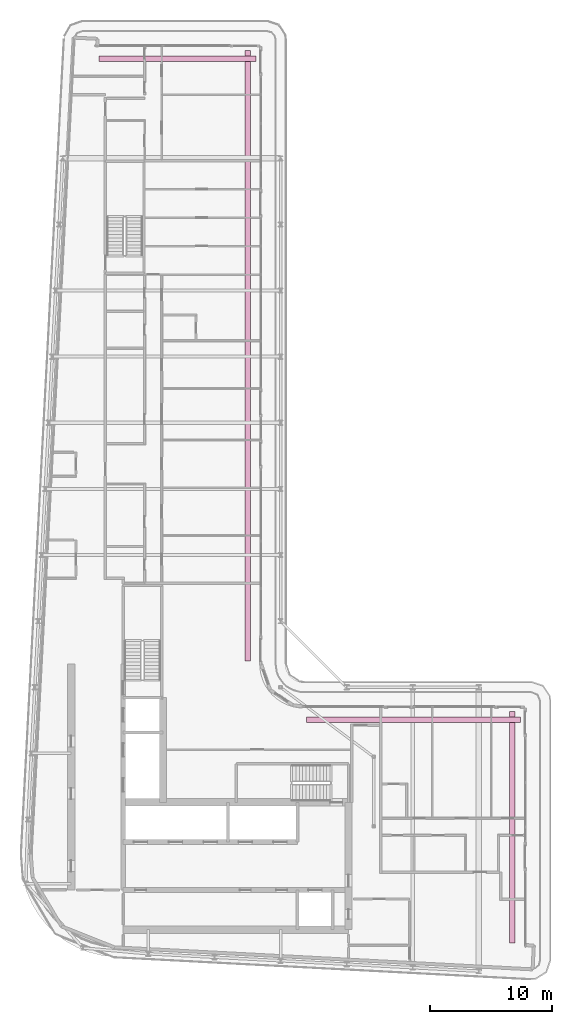
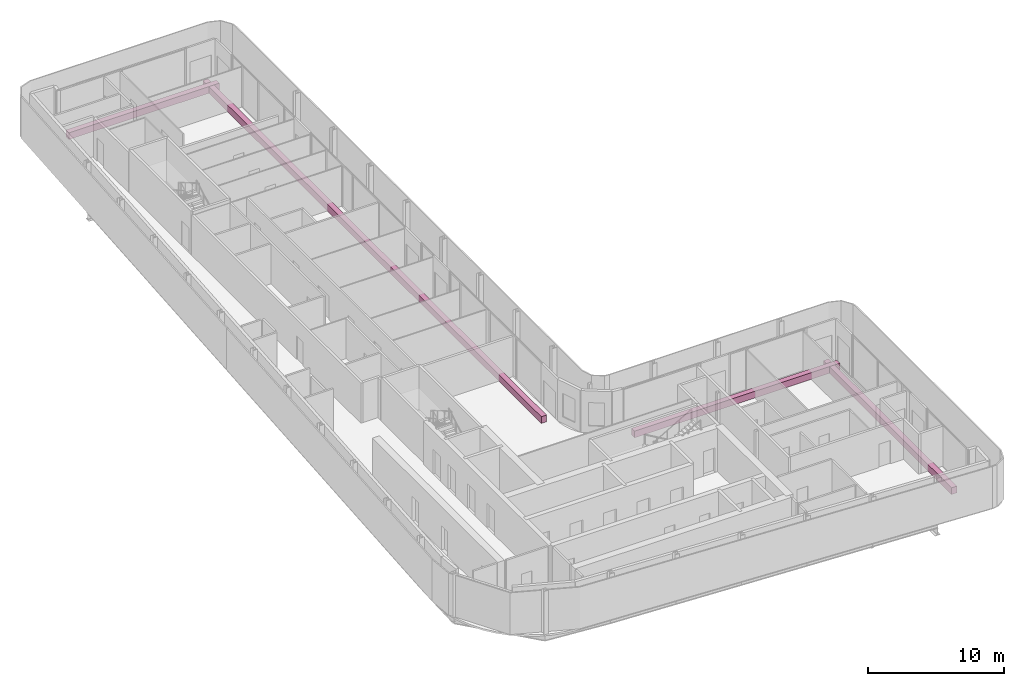
# One storey, part 21 of 21: 4 furniture elements.
"""IFC4 building model written with IfcOpenShell, lengths in metres."""

from ifc_helpers import new_model, si_unit, direction, frame, origin, origin_2d, place, context, subcontext, project, spatial, rectangle, extrude, material, type_object, element, save


model = new_model("IFC4")

# Units and contexts
model_context = context("Model", 3, precision=1e-05, world=origin(), true_north=direction((0.0, 1.0)))
body_context = subcontext(model_context, "Body", "Model", "MODEL_VIEW")
ifc_project = project(units=[si_unit("LENGTHUNIT", "METRE"), si_unit("AREAUNIT", "SQUARE_METRE"), si_unit("VOLUMEUNIT", "CUBIC_METRE"), si_unit("PLANEANGLEUNIT", "RADIAN"), si_unit("MASSUNIT", "GRAM", prefix="KILO")], contexts=[model_context])

# Site, building, storey
site_placement = place(None, origin())
site = spatial("IfcSite", under=ifc_project, at=site_placement, CompositionType="ELEMENT")
building_placement = place(site_placement, origin())
building = spatial("IfcBuilding", under=site, at=building_placement, Name="Kheshtan School and Residences Tower", CompositionType="ELEMENT")
storey_placement = place(building_placement, frame((0.0, 0.0, 317.60009765625)))
storey = spatial("IfcBuildingStorey", under=building, at=storey_placement, Name="L75", CompositionType="ELEMENT", Elevation=317.60009765625)

# Furniture
ifc_material = material(Name="Precast concrete C30/37 in terracotta finish", Category="masonry")
furniture_type = type_object("IfcFurnitureType", Name="Planter trough", AssemblyPlace="NOTDEFINED", PredefinedType="USERDEFINED", material=ifc_material)
furniture_1_placement = place(storey_placement, frame((39.196044921875, 96.925048828125, -0.000244140625), z_axis=(0.0, 0.0, 1.0), x_axis=(1.0, 0.0, 0.0)))
element("IfcFurniture", 1, at=furniture_1_placement, inside=storey, type_object=furniture_type, Name="Planter L75", ObjectType="PLANTER", PredefinedType="USERDEFINED", context=body_context, shape_type="SweptSolid", body=[
    extrude(rectangle(XDim=12.80810546875, YDim=0.449951171875, at=origin_2d()), origin(), (0.0, 0.0, 1.0), 0.60009765625),
])
furniture_2_placement = place(storey_placement, frame((44.925048828125, 72.6650390625, -0.000244140625), z_axis=(0.0, 0.0, 1.0), x_axis=(0.0, -1.0, 0.0)))
element("IfcFurniture", 2, at=furniture_2_placement, inside=storey, type_object=furniture_type, Name="Planter L75", ObjectType="PLANTER", PredefinedType="USERDEFINED", context=body_context, shape_type="SweptSolid", body=[
    extrude(rectangle(XDim=49.8701171875, YDim=0.449951171875, at=origin_2d()), origin(), (0.0, 0.0, 1.0), 0.60009765625),
])
furniture_3_placement = place(storey_placement, frame((58.465087890625, 42.925048828125, -0.000244140625), z_axis=(0.0, 0.0, 1.0), x_axis=(1.0, 0.0, 0.0)))
element("IfcFurniture", 3, at=furniture_3_placement, inside=storey, type_object=furniture_type, Name="Planter L75", ObjectType="PLANTER", PredefinedType="USERDEFINED", context=body_context, shape_type="SweptSolid", body=[
    extrude(rectangle(XDim=17.469970703125, YDim=0.449951171875, at=origin_2d()), origin(), (0.0, 0.0, 1.0), 0.60009765625),
])
furniture_4_placement = place(storey_placement, frame((66.52490234375, 34.159912109375, -0.000244140625), z_axis=(0.0, 0.0, 1.0), x_axis=(0.0, -1.0, 0.0)))
element("IfcFurniture", 4, at=furniture_4_placement, inside=storey, type_object=furniture_type, Name="Planter L75", ObjectType="PLANTER", PredefinedType="USERDEFINED", context=body_context, shape_type="SweptSolid", body=[
    extrude(rectangle(XDim=18.881103515625, YDim=0.449951171875, at=origin_2d()), origin(), (0.0, 0.0, 1.0), 0.60009765625),
])

save(model, "model.ifc")
